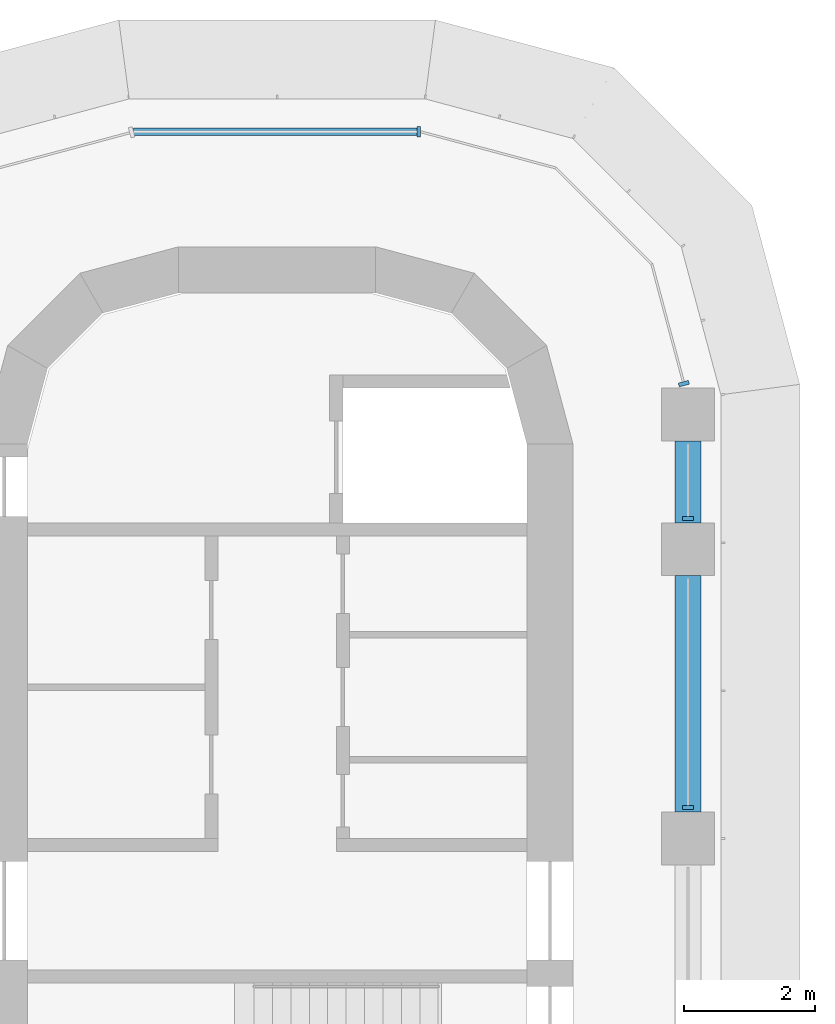
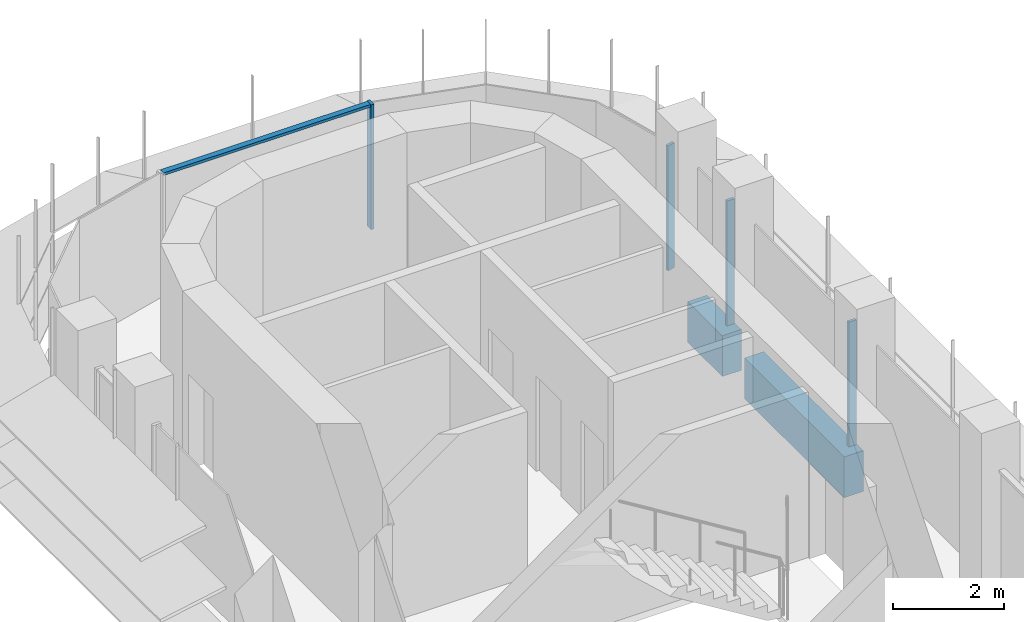
# One storey, part 10 of 20: 5 members, 2 beams, 3 elements without a shape of their own.
"""IFC4 building model written with IfcOpenShell, lengths in metres."""

from ifc_helpers import new_model, si_unit, direction, frame, origin, origin_2d, place, context, subcontext, project, spatial, polyline, rectangle, outline, extrude, source, transform, mapped, material, material_profile, profile_set, type_object, element, aggregate, save


model = new_model("IFC4")

# Units and contexts
model_context = context("Model", 3, precision=1e-05, world=origin(), true_north=direction((0.0, 1.0)))
body_context = subcontext(model_context, "Body", "Model", "MODEL_VIEW")
ifc_project = project(units=[si_unit("LENGTHUNIT", "METRE"), si_unit("AREAUNIT", "SQUARE_METRE"), si_unit("VOLUMEUNIT", "CUBIC_METRE"), si_unit("PLANEANGLEUNIT", "RADIAN"), si_unit("MASSUNIT", "GRAM", prefix="KILO")], contexts=[model_context])

# Site, building, storey
site_placement = place(None, origin())
site = spatial("IfcSite", under=ifc_project, at=site_placement, CompositionType="ELEMENT")
building_placement = place(site_placement, origin())
building = spatial("IfcBuilding", under=site, at=building_placement, Name="Zarbagh Exchange Tower", CompositionType="ELEMENT")
storey_placement = place(building_placement, frame((0.0, 0.0, 186.60009765625)))
storey = spatial("IfcBuildingStorey", under=building, at=storey_placement, Name="L45", CompositionType="ELEMENT", Elevation=186.60009765625)

# Beams
ifc_material_1 = material(Name="Concrete C50/60", Category="concrete")
ifc_material_profile = material_profile(ifc_material_1, rectangle(XDim=0.39990234375, YDim=0.89990234375, at=origin_2d()), Name="RC spandrel beam 400 x 900 C50/60")
ifc_profile_set = profile_set([ifc_material_profile], Name="Concrete C50/60")
beam_type = type_object("IfcBeamType", Name="RC spandrel beam 400 x 900 C50/60", PredefinedType="SPANDREL", material=ifc_profile_set)
beam_1_placement = place(storey_placement, frame((6.25, 26.300048828125, -0.60009765625), z_axis=(0.0, -1.0, 0.0), x_axis=(1.0, 0.0, 0.0)))
element("IfcBeam", 1, at=beam_1_placement, inside=storey, type_object=beam_type, Name="RC spandrel beam", PredefinedType="SPANDREL", context=body_context, shape_type="SweptSolid", body=[
    extrude(rectangle(XDim=0.39990234375, YDim=0.89990234375, at=origin_2d()), origin(), (0.0, 0.0, 1.0), 1.25),
])
beam_2_placement = place(storey_placement, frame((6.25, 24.25, -0.60009765625), z_axis=(0.0, -1.0, 0.0), x_axis=(1.0, 0.0, 0.0)))
element("IfcBeam", 2, at=beam_2_placement, inside=storey, type_object=beam_type, Name="RC spandrel beam", PredefinedType="SPANDREL", context=body_context, shape_type="SweptSolid", body=[
    extrude(rectangle(XDim=0.39990234375, YDim=0.89990234375, at=origin_2d()), origin(), (0.0, 0.0, 1.0), 3.60009765625),
])

# Curtain wall, members
ifc_material_2 = material(Name="Anodised aluminium frame and glazing", Category="aluminium")
curtain_wall_type = type_object("IfcCurtainWallType", Name="CWB Ribbon glazing, upper zones", PredefinedType="NOTDEFINED", material=ifc_material_2)
curtain_wall_1_placement = place(storey_placement, origin())
curtain_wall_1 = element("IfcCurtainWall", 3, at=curtain_wall_1_placement, inside=storey, type_object=curtain_wall_type, Name="CWB20 curtain wall", PredefinedType="NOTDEFINED")
ifc_material_3 = material(Name="Anodised aluminium frame", Category="aluminium")
member_type_1 = type_object("IfcMemberType", Name="MUB Mullion, anodised aluminium frame", PredefinedType="MULLION", material=ifc_material_3)
shared_shape_1 = source(origin(), body_context, "Body", "SweptSolid", [
    extrude(outline(polyline([(0.0, -0.080078125), (0.06005859375, -0.080078125), (0.06005859375, 0.080078125), (0.0, 0.080078125), (0.0, -0.080078125)])), origin(), (0.0, 0.0, 1.0), 2.75),
])
placement = place(storey_placement, origin())
member_1 = element("IfcMember", 4, at=placement, type_object=member_type_1, Name="CWB20 mullion 3.1", PredefinedType="MULLION", context=body_context, shape_type="MappedRepresentation", body=[
    mapped(shared_shape_1, transform((6.25, 20.68994140625, 0.0), x_axis=(0.0, 1.0, 0.0), y_axis=(-1.0, 0.0, 0.0), z_axis=(0.0, 0.0, 1.0))),
])
member_2 = element("IfcMember", 5, at=placement, type_object=member_type_1, Name="CWB20 mullion 4.1", PredefinedType="MULLION", context=body_context, shape_type="MappedRepresentation", body=[
    mapped(shared_shape_1, transform((6.25, 25.090087890625, 0.0), x_axis=(0.0, 1.0, 0.0), y_axis=(-1.0, 0.0, 0.0), z_axis=(0.0, 0.0, 1.0))),
])
aggregate(curtain_wall_1, [member_1, member_2])

# Curtain wall, member
curtain_wall_2_placement = place(storey_placement, origin())
curtain_wall_2 = element("IfcCurtainWall", 6, at=curtain_wall_2_placement, inside=storey, type_object=curtain_wall_type, Name="CWB21 curtain wall", PredefinedType="NOTDEFINED")
member_3 = element("IfcMember", 7, at=placement, type_object=member_type_1, Name="CWB21 mullion 1.1", PredefinedType="MULLION", context=body_context, shape_type="MappedRepresentation", body=[
    mapped(shared_shape_1, transform((6.19482421875, 27.139892578125, 0.0), x_axis=(-0.258824779902, 0.965924289636, 0.0), y_axis=(-0.965924289636, -0.258824779902, 0.0), z_axis=(0.0, 0.0, 1.0))),
])
aggregate(curtain_wall_2, [member_3])

# Curtain wall, members
curtain_wall_3_placement = place(storey_placement, origin())
curtain_wall_3 = element("IfcCurtainWall", 8, at=curtain_wall_3_placement, inside=storey, type_object=curtain_wall_type, Name="CWB24 curtain wall", PredefinedType="NOTDEFINED")
member_4 = element("IfcMember", 9, at=placement, type_object=member_type_1, Name="CWB24 mullion 1.1", PredefinedType="MULLION", context=body_context, shape_type="MappedRepresentation", body=[
    mapped(shared_shape_1, transform((2.18408203125, 31.0, 0.0), x_axis=(-1.0, 0.0, 0.0), y_axis=(0.0, -1.0, 0.0), z_axis=(0.0, 0.0, 1.0))),
])
member_type_2 = type_object("IfcMemberType", Name="TRB Transom, anodised aluminium frame", PredefinedType="USERDEFINED", material=ifc_material_3)
shared_shape_2 = source(origin(), body_context, "Body", "SweptSolid", [
    extrude(outline(polyline([(-0.06005859375, -0.06005859375), (0.0, -0.06005859375), (0.0, 0.06005859375), (-0.06005859375, 0.06005859375), (-0.06005859375, -0.06005859375)])), origin(), (0.0, 0.0, 1.0), 4.308349609375),
])
member_5 = element("IfcMember", 10, at=placement, type_object=member_type_2, Name="CWB24 transom 1.1", ObjectType="TRANSOM", PredefinedType="USERDEFINED", context=body_context, shape_type="MappedRepresentation", body=[
    mapped(shared_shape_2, transform((2.124267578125, 31.0, 2.75), x_axis=(0.0, 0.0, 1.0), y_axis=(0.0, 1.0, 0.0), z_axis=(-1.0, 0.0, 0.0))),
])
aggregate(curtain_wall_3, [member_4, member_5])

save(model, "model.ifc")
